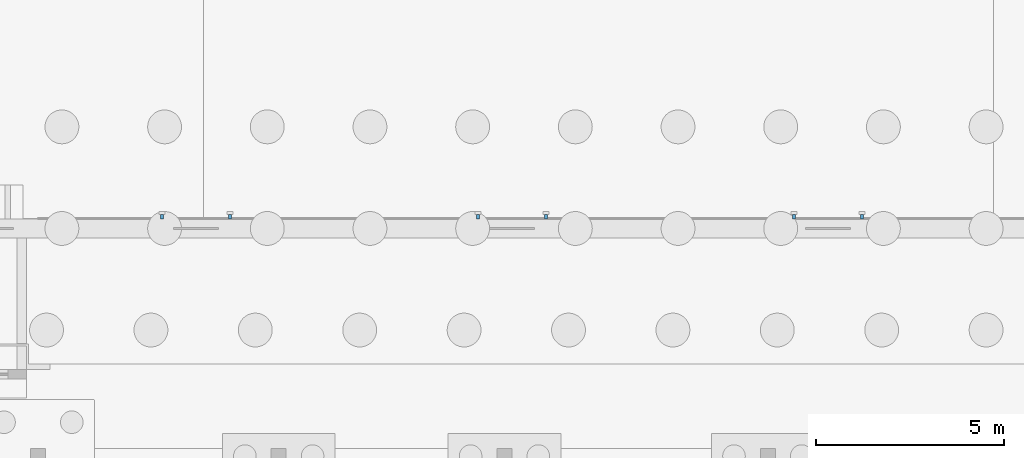
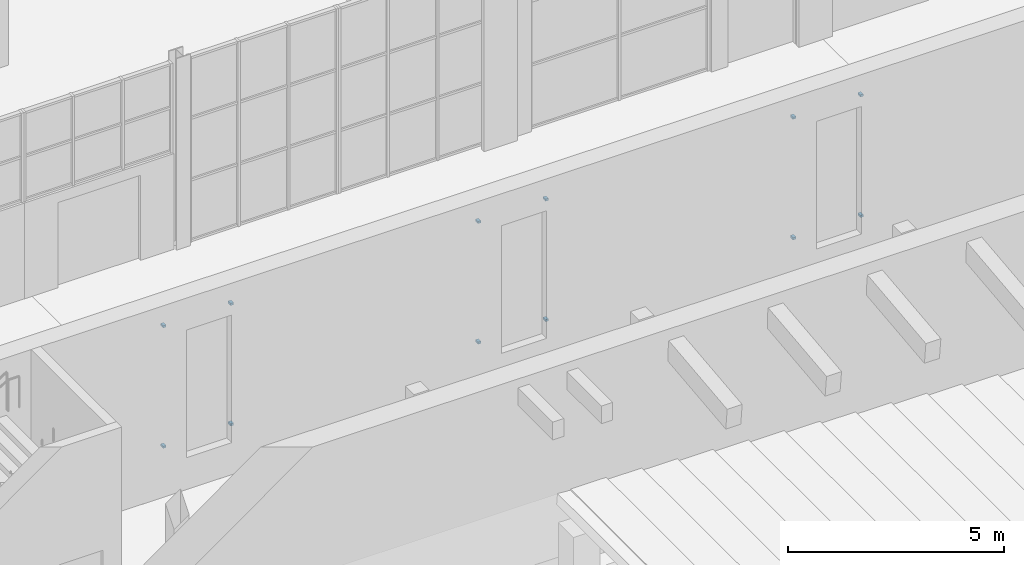
# One storey, part 85 of 127: 12 discrete accessories.
"""IFC4 building model written with IfcOpenShell, lengths in metres."""

import ifcopenshell
import ifcopenshell.guid

model = None  # the IFC model being written
_history = None  # IfcOwnerHistory: only IFC2X3 demands one
_inside = {}  # id of a spatial element -> (the spatial element, [elements in it])
_under = {}  # id of a project, library or spatial element -> (it, [spatial elements below it])
_declared = {}  # id of a project -> (the project, [libraries it declares])
_typed = {}  # id of a type object -> (the type object, [elements of that type])
_made_of = {}  # id of a material, layer set ... -> (it, [elements and type objects made of it])


def new_model(schema):
    """Start an empty IFC model of exactly this schema.

    Asked for "IFC4X3", IfcOpenShell would pick the latest addendum, in which some entities
    have other attributes; the version numbers below select the first issue.
    IFC2X3 requires an IfcOwnerHistory on every rooted entity: one is made here for all.
    """
    global model, _history
    if schema == "IFC4X3":
        model = ifcopenshell.file(schema_version=(4, 3, 0, 0))
    else:
        model = ifcopenshell.file(schema=schema)
    _inside.clear()
    _under.clear()
    _declared.clear()
    _typed.clear()
    _made_of.clear()
    _history = None
    if model.schema == "IFC2X3":
        org = make("IfcOrganization", Name="unknown")
        user = make(
            "IfcPersonAndOrganization",
            ThePerson=make("IfcPerson", FamilyName="unknown"),
            TheOrganization=org,
        )
        app = make(
            "IfcApplication",
            ApplicationDeveloper=org,
            Version="unknown",
            ApplicationFullName="unknown",
            ApplicationIdentifier="unknown",
        )
        _history = make(
            "IfcOwnerHistory",
            OwningUser=user,
            OwningApplication=app,
            ChangeAction="ADDED",
            CreationDate=0,
        )
    return model


def make(cls, **values):
    """One entity of the class cls with the attributes given. An attribute that is None is left unset."""
    return model.create_entity(
        cls, **{name: value for name, value in values.items() if value is not None}
    )


def rooted(cls, **values):
    """An entity with a GlobalId (a new one), such as an element, a storey or a relation."""
    return make(cls, GlobalId=ifcopenshell.guid.new(), OwnerHistory=_history, **values)


def si_unit(unit_type, name, prefix=None):
    """IfcSIUnit, for example si_unit("LENGTHUNIT", "METRE", prefix="MILLI")."""
    return make("IfcSIUnit", UnitType=unit_type, Prefix=prefix, Name=name)


def assignment(units):
    """IfcUnitAssignment: the units of a project."""
    return None if units is None else make("IfcUnitAssignment", Units=units)


def point(xyz):
    """IfcCartesianPoint."""
    return None if xyz is None else make("IfcCartesianPoint", Coordinates=xyz)


def direction(xyz):
    """IfcDirection."""
    return None if xyz is None else make("IfcDirection", DirectionRatios=xyz)


def frame(location, z_axis=None, x_axis=None):
    """IfcAxis2Placement3D, a coordinate frame: its origin and axes. An axis left out is left unset."""
    return make(
        "IfcAxis2Placement3D",
        Location=point(location),
        Axis=direction(z_axis),
        RefDirection=direction(x_axis),
    )


def frame_2d(location, x_axis=None):
    """IfcAxis2Placement2D, a coordinate frame in the plane: its origin and x axis."""
    return make(
        "IfcAxis2Placement2D", Location=point(location), RefDirection=direction(x_axis)
    )


def origin():
    """The frame at (0, 0, 0) with its axes left unset."""
    return frame((0.0, 0.0, 0.0))


def origin_2d():
    """The frame at (0, 0) in the plane with its x axis left unset."""
    return frame_2d((0.0, 0.0))


def place(relative_to, where):
    """IfcLocalPlacement: puts the frame where relative to a parent placement (None: the world)."""
    return make(
        "IfcLocalPlacement", PlacementRelTo=relative_to, RelativePlacement=where
    )


def context(
    kind, dimensions, precision=None, world=None, true_north=None, identifier=None
):
    """IfcGeometricRepresentationContext, for example the 3D "Model" context."""
    return make(
        "IfcGeometricRepresentationContext",
        ContextIdentifier=identifier,
        ContextType=kind,
        CoordinateSpaceDimension=dimensions,
        Precision=precision,
        WorldCoordinateSystem=world,
        TrueNorth=true_north,
    )


def subcontext(parent, identifier, kind, view, scale=None):
    """IfcGeometricRepresentationSubContext, for example "Body" below "Model"."""
    return make(
        "IfcGeometricRepresentationSubContext",
        ContextIdentifier=identifier,
        ContextType=kind,
        ParentContext=parent,
        TargetScale=scale,
        TargetView=view,
    )


def project(units=None, contexts=None):
    """IfcProject with its units and contexts."""
    return rooted(
        "IfcProject",
        Name="project",
        RepresentationContexts=contexts,
        UnitsInContext=assignment(units),
    )


def spatial(cls, under=None, at=None, **own):
    """A site, building, storey or space (cls), placed at a placement, below another one or the project."""
    s = rooted(cls, ObjectPlacement=at, **own)
    if under is not None:
        _under.setdefault(under.id(), (under, []))[1].append(s)
    return s


def profile(cls, at=None, kind="AREA", **sizes):
    """A parametric profile (cls). Its sizes go by their IFC names, for example OverallWidth=200.0."""
    return make(cls, ProfileType=kind, Position=at, **sizes)


def rectangle(**sizes):
    """IfcRectangleProfileDef."""
    return profile("IfcRectangleProfileDef", **sizes)


def extrude(swept, where, along, depth):
    """IfcExtrudedAreaSolid: the profile swept, set in the frame where, extruded along a direction by depth."""
    return make(
        "IfcExtrudedAreaSolid",
        SweptArea=swept,
        Position=where,
        ExtrudedDirection=direction(along),
        Depth=depth,
    )


def shape(context_of_items, identifier, shape_type, items):
    """IfcShapeRepresentation: the items that make up one representation, for example the "Body"."""
    return make(
        "IfcShapeRepresentation",
        ContextOfItems=context_of_items,
        RepresentationIdentifier=identifier,
        RepresentationType=shape_type,
        Items=items,
    )


def material(Name=None, Category=None):
    """IfcMaterial."""
    return make("IfcMaterial", Name=Name, Category=Category)


def made_of(thing, what):
    """Note that an element or type object is made of a material, layer set ...; save() writes the relation."""
    if what is not None:
        _made_of.setdefault(what.id(), (what, []))[1].append(thing)
    return thing


def type_object(cls, material=None, **own):
    """A type object (cls), such as IfcWallType, which elements share."""
    return made_of(rooted(cls, **own), material)


def element(
    cls,
    number,
    at=None,
    inside=None,
    cuts=None,
    type_object=None,
    material=None,
    context=None,
    identifier="Body",
    shape_type=None,
    held_by="IfcProductDefinitionShape",
    body=None,
    shapes=None,
    **own,
):
    """One element of the class cls, such as IfcWall. Its Tag is "e" and its number.

    at: its placement. inside: the storey or other place that contains it. cuts: it is an
    opening in that element (IfcRelVoidsElement). A single representation is given by context,
    identifier, shape_type and body (its items); several are given by shapes. held_by: the class
    of the entity that holds the representations. save() writes the other relations.
    """
    e = rooted(cls, Tag="e%d" % number, ObjectPlacement=at, **own)
    if body is not None:
        shapes = [shape(context, identifier, shape_type, body)]
    if shapes is not None:
        e.Representation = make(held_by, Representations=shapes)
    if inside is not None:
        _inside.setdefault(inside.id(), (inside, []))[1].append(e)
    if cuts is not None:
        rooted(
            "IfcRelVoidsElement", RelatingBuildingElement=cuts, RelatedOpeningElement=e
        )
    if type_object is not None:
        _typed.setdefault(type_object.id(), (type_object, []))[1].append(e)
    return made_of(e, material)


def aggregate(whole, parts):
    """IfcRelAggregates: a whole, such as a stair, and the parts it consists of."""
    return rooted("IfcRelAggregates", RelatingObject=whole, RelatedObjects=parts)


def save(model, path):
    """Write the relations noted so far, then the file.

    IfcRelAggregates (storeys below a building ...), IfcRelContainedInSpatialStructure (elements
    in a storey), IfcRelDefinesByType, IfcRelAssociatesMaterial and IfcRelDeclares: one each for
    every whole, place, type object, material and project.
    """
    for whole, parts in _under.values():
        aggregate(whole, parts)
    for where, things in _inside.values():
        rooted(
            "IfcRelContainedInSpatialStructure",
            RelatedElements=things,
            RelatingStructure=where,
        )
    for kind, things in _typed.values():
        rooted("IfcRelDefinesByType", RelatedObjects=things, RelatingType=kind)
    for what, things in _made_of.values():
        rooted("IfcRelAssociatesMaterial", RelatedObjects=things, RelatingMaterial=what)
    for by, libraries in _declared.values():
        rooted("IfcRelDeclares", RelatingContext=by, RelatedDefinitions=libraries)
    model.write(path)


model = new_model("IFC4")

# Units and contexts
model_context = context("Model", 3, precision=1e-05, world=origin(), true_north=direction((0.0, 1.0)))
body_context = subcontext(model_context, "Body", "Model", "MODEL_VIEW")
ifc_project = project(units=[si_unit("LENGTHUNIT", "METRE"), si_unit("AREAUNIT", "SQUARE_METRE"), si_unit("VOLUMEUNIT", "CUBIC_METRE"), si_unit("PLANEANGLEUNIT", "RADIAN"), si_unit("MASSUNIT", "GRAM", prefix="KILO")], contexts=[model_context])

# Site, building, storey
site_placement = place(None, origin())
site = spatial("IfcSite", under=ifc_project, at=site_placement, CompositionType="ELEMENT")
building_placement = place(site_placement, origin())
building = spatial("IfcBuilding", under=site, at=building_placement, Name="Ljudholm Concert House", CompositionType="ELEMENT")
storey_placement = place(building_placement, origin())
storey = spatial("IfcBuildingStorey", under=building, at=storey_placement, Name="L00", CompositionType="ELEMENT", Elevation=0.0)

# Discrete accessories
ifc_material = material(Name="Stainless steel bracket", Category="steel")
discrete_accessory_type = type_object("IfcDiscreteAccessoryType", Name="BRACKET 120", PredefinedType="BRACKET", material=ifc_material)
for number, where, z_axis, x_axis, name in (
    (1, (40.89990234375, 96.7099609375, 0.969970703125), (0.0, 0.0, 1.0), (0.0, 1.0, 0.0), "Fin bracket"),
    (2, (40.89990234375, 96.7099609375, 4.369873046875), (0.0, 0.0, 1.0), (0.0, 1.0, 0.0), "Fin bracket"),
    (3, (42.699951171875, 96.7099609375, 0.969970703125), (0.0, 0.0, 1.0), (0.0, 1.0, 0.0), "Fin bracket"),
    (4, (42.699951171875, 96.7099609375, 4.369873046875), (0.0, 0.0, 1.0), (0.0, 1.0, 0.0), "Fin bracket"),
    (5, (49.300048828125, 96.7099609375, 0.969970703125), (0.0, 0.0, 1.0), (0.0, 1.0, 0.0), "Fin bracket"),
    (6, (49.300048828125, 96.7099609375, 4.369873046875), (0.0, 0.0, 1.0), (0.0, 1.0, 0.0), "Fin bracket"),
    (7, (51.10009765625, 96.7099609375, 0.969970703125), (0.0, 0.0, 1.0), (0.0, 1.0, 0.0), "Fin bracket"),
    (8, (51.10009765625, 96.7099609375, 4.369873046875), (0.0, 0.0, 1.0), (0.0, 1.0, 0.0), "Fin bracket"),
    (9, (57.699951171875, 96.7099609375, 0.969970703125), (0.0, 0.0, 1.0), (0.0, 1.0, 0.0), "Fin bracket"),
    (10, (57.699951171875, 96.7099609375, 4.369873046875), (0.0, 0.0, 1.0), (0.0, 1.0, 0.0), "Fin bracket"),
    (11, (59.5, 96.7099609375, 0.969970703125), (0.0, 0.0, 1.0), (0.0, 1.0, 0.0), "Fin bracket"),
    (12, (59.5, 96.7099609375, 4.369873046875), (0.0, 0.0, 1.0), (0.0, 1.0, 0.0), "Fin bracket"),
):
    element("IfcDiscreteAccessory", number, at=place(storey_placement, frame(where, z_axis=z_axis, x_axis=x_axis)), inside=storey, type_object=discrete_accessory_type, Name=name, PredefinedType="BRACKET", context=body_context, shape_type="SweptSolid", body=[
        extrude(rectangle(XDim=0.1201171875, YDim=0.080078125, at=origin_2d()), origin(), (0.0, 0.0, 1.0), 0.06005859375),
    ])

save(model, "model.ifc")
